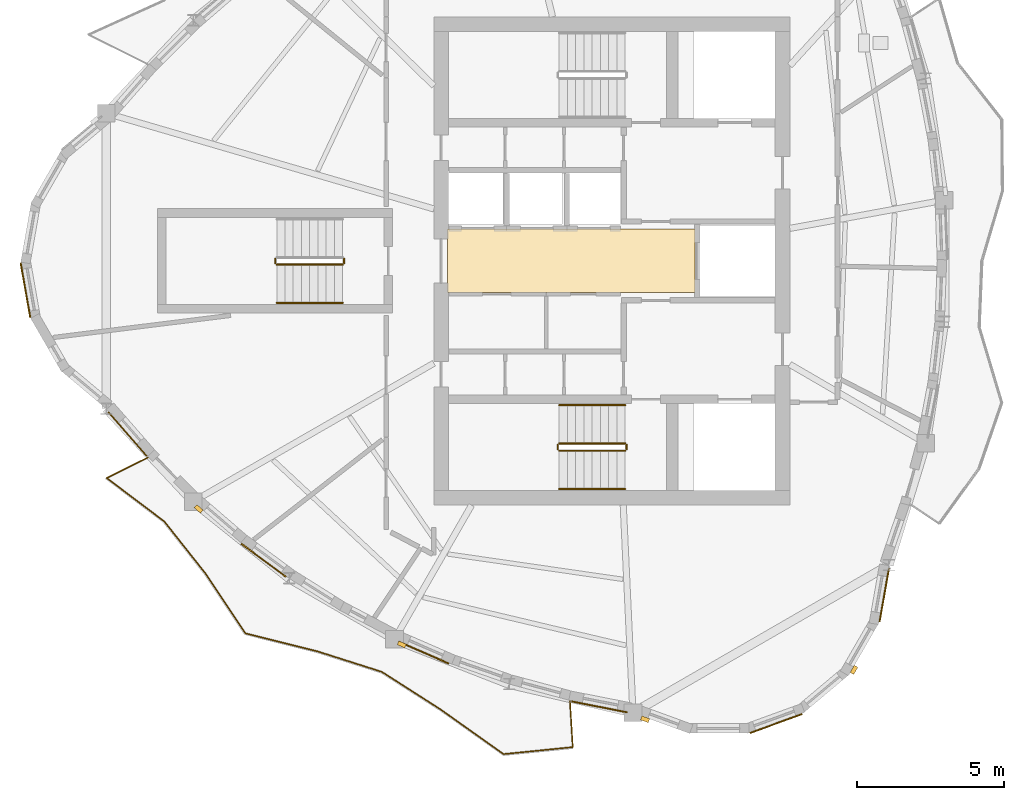
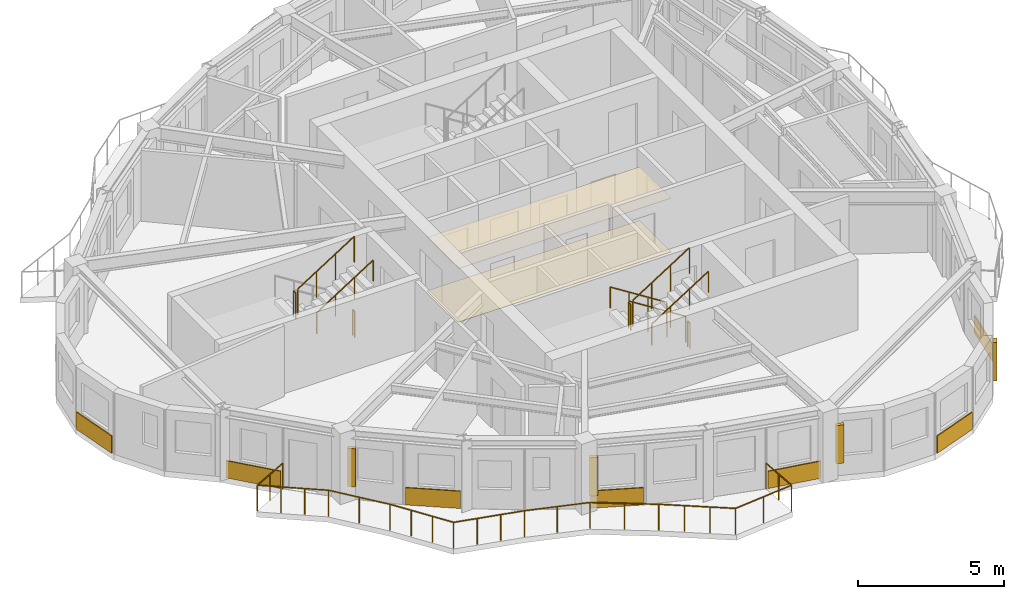
# One storey, part 8 of 11: 11 railings, 9 coverings, 4 shading devices.
"""IFC4 building model written with IfcOpenShell, lengths in metres."""

from ifc_helpers import new_model, si_unit, direction, frame, origin, origin_2d, place, context, subcontext, project, spatial, polyline, rectangle, circle, outline, extrude, source, transform, mapped, material, layer, layer_set, type_object, element, save


model = new_model("IFC4")

# Units and contexts
model_context = context("Model", 3, precision=1e-05, world=origin(), true_north=direction((0.0, 1.0)))
body_context = subcontext(model_context, "Body", "Model", "MODEL_VIEW")
ifc_project = project(units=[si_unit("LENGTHUNIT", "METRE"), si_unit("AREAUNIT", "SQUARE_METRE"), si_unit("VOLUMEUNIT", "CUBIC_METRE"), si_unit("PLANEANGLEUNIT", "RADIAN"), si_unit("MASSUNIT", "GRAM", prefix="KILO")], contexts=[model_context])

# Site, building, storey
site_placement = place(None, origin())
site = spatial("IfcSite", under=ifc_project, at=site_placement, CompositionType="ELEMENT")
building_placement = place(site_placement, origin())
building = spatial("IfcBuilding", under=site, at=building_placement, Name="Qafzar Sky-Pleat Residences", CompositionType="ELEMENT")
storey_placement = place(building_placement, frame((0.0, 0.0, 243.60009765625)))
storey = spatial("IfcBuildingStorey", under=building, at=storey_placement, Name="L73", CompositionType="ELEMENT", Elevation=243.60009765625)

# Coverings
ifc_material_1 = material(Name="Perforated acoustic gypsum board ceiling")
ifc_layer_1 = layer(ifc_material_1, 0.02001953125)
ifc_layer_set_1 = layer_set([ifc_layer_1], Name="Perforated acoustic gypsum board ceiling")
covering_type_1 = type_object("IfcCoveringType", Name="COV-CEIL-ACOUSTIC", PredefinedType="CEILING", material=ifc_layer_set_1)
covering_1_placement = place(storey_placement, frame((0.0, 0.0, 2.239990234375)))
element("IfcCovering", 1, at=covering_1_placement, inside=storey, type_object=covering_type_1, Name="L73 Passenger Lift Lobby Acoustic Ceiling", PredefinedType="CEILING", context=body_context, shape_type="SweptSolid", body=[
    extrude(outline(polyline([(33.179931640625, 24.919921875), (24.77001953125, 24.919921875), (24.77001953125, 27.080078125), (33.179931640625, 27.080078125), (33.179931640625, 24.919921875)])), origin(), (0.0, 0.0, 1.0), 0.02001953125),
])
ifc_material_2 = material(Name="Honed porcelain and Riyadh stone tile flooring", Category="masonry")
ifc_layer_2 = layer(ifc_material_2, 0.02001953125)
ifc_layer_set_2 = layer_set([ifc_layer_2], Name="Honed porcelain and Riyadh stone tile flooring")
covering_type_2 = type_object("IfcCoveringType", Name="COV-FLR-PORCELAIN", PredefinedType="FLOORING", material=ifc_layer_set_2)
covering_2_placement = place(storey_placement, origin())
element("IfcCovering", 2, at=covering_2_placement, inside=storey, type_object=covering_type_2, Name="L73 Passenger Lift Lobby Honed Stone Flooring", PredefinedType="FLOORING", context=body_context, shape_type="SweptSolid", body=[
    extrude(outline(polyline([(33.179931640625, 24.919921875), (24.77001953125, 24.919921875), (24.77001953125, 27.080078125), (33.179931640625, 27.080078125), (33.179931640625, 24.919921875)])), origin(), (0.0, 0.0, 1.0), 0.02001953125),
])

# Shading devices
ifc_material_3 = material(Name="Honed Riyadh limestone solar fin", Category="masonry")
ifc_layer_3 = layer(ifc_material_3, 0.139892578125)
ifc_layer_set_3 = layer_set([ifc_layer_3], Name="Honed Riyadh limestone solar fin")
shading_device_type = type_object("IfcShadingDeviceType", Name="SHD-FIN-STONE", PredefinedType="SHUTTER", material=ifc_layer_set_3)
shared_shape_1 = source(origin(), body_context, "Body", "SweptSolid", [
    extrude(rectangle(XDim=0.139892578125, YDim=0.280029296875, at=origin_2d()), origin(), (0.0, 0.0, 1.0), 1.60009765625),
])
for number, where, z_axis, x_axis, name in (
    (3, (16.306396484375, 17.572265625, 0.599853515625), (0.0, 0.0, 1.0), (-0.65289449512, -0.7574488618, 0.0), "L73 Limestone Solar Fin 9"),
    (4, (23.2080078125, 12.9658203125, 0.599853515625), (0.0, 0.0, 1.0), (-0.398699748058, -0.917081518132, 0.0), "L73 Limestone Solar Fin 13"),
    (5, (31.478515625, 10.422119140625, 0.599853515625), (0.0, 0.0, 1.0), (-0.342010122116, -0.939696268148, 0.0), "L73 Limestone Solar Fin 17"),
    (6, (38.58056640625, 12.10009765625, 0.599853515625), (0.0, 0.0, 1.0), (0.86604422228, -0.499967403994, 0.0), "L73 Limestone Solar Fin 21"),
):
    element("IfcShadingDevice", number, at=place(storey_placement, frame(where, z_axis=z_axis, x_axis=x_axis)), inside=storey, type_object=shading_device_type, Name=name, PredefinedType="SHUTTER", context=body_context, shape_type="MappedRepresentation", body=[
        mapped(shared_shape_1, transform((0.0, 0.0, 0.0), x_axis=(1.0, 0.0, 0.0), y_axis=(0.0, 1.0, 0.0), z_axis=(0.0, 0.0, 1.0), scale=1.0)),
    ])

# Coverings
ifc_material_4 = material(Name="Honed Riyadh Tuwaiq limestone cladding", Category="masonry")
ifc_layer_4 = layer(ifc_material_4, 0.044921875)
ifc_layer_set_4 = layer_set([ifc_layer_4], Name="Honed Riyadh Tuwaiq limestone cladding")
covering_type_3 = type_object("IfcCoveringType", Name="COV-CLAD-STONE", PredefinedType="CLADDING", material=ifc_layer_set_4)
shared_shape_2 = source(origin(), body_context, "Body", "SweptSolid", [
    extrude(rectangle(XDim=1.88134765625, YDim=0.044921875, at=origin_2d()), origin(), (0.0, 0.0, 1.0), 0.719970703125),
])
covering_3_placement = place(storey_placement, frame((10.418212890625, 25.00439453125, 0.02001953125), z_axis=(0.0, 0.0, 1.0), x_axis=(0.173662519465, -0.984805224059, 0.0)))
element("IfcCovering", 7, at=covering_3_placement, inside=storey, type_object=covering_type_3, Name="L73 Riyadh Limestone Spandrel Cladding 4", PredefinedType="CLADDING", context=body_context, shape_type="MappedRepresentation", body=[
    mapped(shared_shape_2, transform((0.0, 0.0, 0.0), x_axis=(1.0, 0.0, 0.0), y_axis=(0.0, 1.0, 0.0), z_axis=(0.0, 0.0, 1.0), scale=1.0)),
])
shared_shape_3 = source(origin(), body_context, "Body", "SweptSolid", [
    extrude(rectangle(XDim=1.8291015625, YDim=0.044921875, at=origin_2d()), origin(), (0.0, 0.0, 1.0), 0.719970703125),
])
covering_4_placement = place(storey_placement, frame((39.609130859375, 14.639892578125, 0.02001953125), z_axis=(0.0, 0.0, 1.0), x_axis=(0.173695508338, 0.984799406165, 0.0)))
element("IfcCovering", 8, at=covering_4_placement, inside=storey, type_object=covering_type_3, Name="L73 Riyadh Limestone Spandrel Cladding 22", PredefinedType="CLADDING", context=body_context, shape_type="MappedRepresentation", body=[
    mapped(shared_shape_3, transform((0.0, 0.0, 0.0), x_axis=(1.0, 0.0, 0.0), y_axis=(0.0, 1.0, 0.0), z_axis=(0.0, 0.0, 1.0), scale=1.0)),
])
shared_shape_4 = source(origin(), body_context, "Body", "SweptSolid", [
    extrude(rectangle(XDim=1.881103515625, YDim=0.044921875, at=origin_2d()), origin(), (0.0, 0.0, 1.0), 0.719970703125),
])
covering_5_placement = place(storey_placement, frame((35.9287109375, 10.27587890625, 0.02001953125), z_axis=(0.0, 0.0, 1.0), x_axis=(0.939709584691, 0.341973531784, 0.0)))
element("IfcCovering", 9, at=covering_5_placement, inside=storey, type_object=covering_type_3, Name="L73 Riyadh Limestone Spandrel Cladding 19", PredefinedType="CLADDING", context=body_context, shape_type="MappedRepresentation", body=[
    mapped(shared_shape_4, transform((0.0, 0.0, 0.0), x_axis=(1.0, 0.0, 0.0), y_axis=(0.0, 1.0, 0.0), z_axis=(0.0, 0.0, 1.0), scale=1.0)),
])
shared_shape_5 = source(origin(), body_context, "Body", "SweptSolid", [
    extrude(rectangle(XDim=1.888916015625, YDim=0.044921875, at=origin_2d()), origin(), (0.0, 0.0, 1.0), 0.719970703125),
])
covering_6_placement = place(storey_placement, frame((18.5107421875, 15.828369140625, 0.02001953125), z_axis=(0.0, 0.0, 1.0), x_axis=(0.803837342424, -0.59484916317, 0.0)))
element("IfcCovering", 10, at=covering_6_placement, inside=storey, type_object=covering_type_3, Name="L73 Riyadh Limestone Spandrel Cladding 10", PredefinedType="CLADDING", context=body_context, shape_type="MappedRepresentation", body=[
    mapped(shared_shape_5, transform((0.0, 0.0, 0.0), x_axis=(1.0, 0.0, 0.0), y_axis=(0.0, 1.0, 0.0), z_axis=(0.0, 0.0, 1.0), scale=1.0)),
])

# Railing
ifc_material_5 = material(Name="Laminated glass and bronze steel balustrade", Category="steel")
railing_type_1 = type_object("IfcRailingType", Name="RAIL-BAL-1100", PredefinedType="BALUSTRADE", material=ifc_material_5)
shared_shape_6 = source(origin(), body_context, "Body", "SweptSolid", [
    extrude(circle(Radius=0.02392578125, at=origin_2d()), frame((0.0, 0.0, 1.076171875), z_axis=(-0.895230305867, -0.445603747131, 0.0), x_axis=(0.445603747131, -0.895230305867, 0.0)), (0.0, 0.0, 1.0), 1.577880859375),
    extrude(circle(Radius=0.02392578125, at=origin_2d()), frame((-1.41259765625, -0.703125, 1.076171875), z_axis=(0.798552100692, -0.601925695148, 0.0), x_axis=(0.601925695148, 0.798552100692, 0.0)), (0.0, 0.0, 1.0), 2.4521484375),
    extrude(circle(Radius=0.02392578125, at=origin_2d()), frame((0.545654296875, -2.17919921875, 1.076171875), z_axis=(0.620424786039, -0.784265952894, 0.0), x_axis=(0.784265952894, 0.620424786039, 0.0)), (0.0, 0.0, 1.0), 2.27099609375),
    extrude(circle(Radius=0.02392578125, at=origin_2d()), frame((1.95458984375, -3.960205078125, 1.076171875), z_axis=(0.553981385976, -0.832529052942, 0.0), x_axis=(0.832529052942, 0.553981385976, 0.0)), (0.0, 0.0, 1.0), 2.430419921875),
    extrude(circle(Radius=0.02392578125, at=origin_2d()), frame((3.301025390625, -5.983642578125, 1.076171875), z_axis=(0.970233529175, -0.242171218076, 0.0), x_axis=(0.242171218076, 0.970233529175, 0.0)), (0.0, 0.0, 1.0), 2.5224609375),
    extrude(circle(Radius=0.02392578125, at=origin_2d()), frame((5.748291015625, -6.594482421875, 1.076171875), z_axis=(0.952948096229, -0.303133511663, 0.0), x_axis=(0.303133511663, 0.952948096229, 0.0)), (0.0, 0.0, 1.0), 2.298583984375),
    extrude(circle(Radius=0.02392578125, at=origin_2d()), frame((7.938720703125, -7.291259765625, 1.076171875), z_axis=(0.842406664623, -0.538842288057, 0.0), x_axis=(0.538842288057, 0.842406664623, 0.0)), (0.0, 0.0, 1.0), 2.359619140625),
    extrude(circle(Radius=0.02392578125, at=origin_2d()), frame((9.926513671875, -8.562744140625, 1.076171875), z_axis=(0.815729715151, -0.578433256149, 0.0), x_axis=(0.578433256149, 0.815729715151, 0.0)), (0.0, 0.0, 1.0), 2.637939453125),
    extrude(circle(Radius=0.02392578125, at=origin_2d()), frame((12.078369140625, -10.088623046875, 1.076171875), z_axis=(0.994919967793, 0.10066905029, 0.0), x_axis=(-0.10066905029, 0.994919967793, 0.0)), (0.0, 0.0, 1.0), 2.364501953125),
    extrude(circle(Radius=0.02392578125, at=origin_2d()), frame((14.430908203125, -9.8505859375, 1.076171875), z_axis=(-0.061732907976, 0.99809270515, 0.0), x_axis=(-0.99809270515, -0.061732907976, 0.0)), (0.0, 0.0, 1.0), 1.577880859375),
    extrude(circle(Radius=0.02099609375, at=origin_2d()), origin(), (0.0, 0.0, 1.0), 1.052001953125),
    extrude(circle(Radius=0.02099609375, at=origin_2d()), frame((-0.706298828125, -0.3515625, 0.0)), (0.0, 0.0, 1.0), 1.052001953125),
    extrude(circle(Radius=0.02099609375, at=origin_2d()), frame((-1.41259765625, -0.703125, 0.0)), (0.0, 0.0, 1.0), 1.052001953125),
    extrude(circle(Radius=0.02099609375, at=origin_2d()), frame((-0.759765625, -1.195068359375, 0.0)), (0.0, 0.0, 1.0), 1.052001953125),
    extrude(circle(Radius=0.02099609375, at=origin_2d()), frame((-0.107177734375, -1.687255859375, 0.0)), (0.0, 0.0, 1.0), 1.052001953125),
    extrude(circle(Radius=0.02099609375, at=origin_2d()), frame((0.545654296875, -2.17919921875, 0.0)), (0.0, 0.0, 1.0), 1.052001953125),
    extrude(circle(Radius=0.02099609375, at=origin_2d()), frame((1.25, -3.06982421875, 0.0)), (0.0, 0.0, 1.0), 1.052001953125),
    extrude(circle(Radius=0.02099609375, at=origin_2d()), frame((1.95458984375, -3.960205078125, 0.0)), (0.0, 0.0, 1.0), 1.052001953125),
    extrude(circle(Radius=0.02099609375, at=origin_2d()), frame((2.4033203125, -4.634765625, 0.0)), (0.0, 0.0, 1.0), 1.052001953125),
    extrude(circle(Radius=0.02099609375, at=origin_2d()), frame((2.852294921875, -5.30908203125, 0.0)), (0.0, 0.0, 1.0), 1.052001953125),
    extrude(circle(Radius=0.02099609375, at=origin_2d()), frame((3.301025390625, -5.983642578125, 0.0)), (0.0, 0.0, 1.0), 1.052001953125),
    extrude(circle(Radius=0.02099609375, at=origin_2d()), frame((4.11669921875, -6.187255859375, 0.0)), (0.0, 0.0, 1.0), 1.052001953125),
    extrude(circle(Radius=0.02099609375, at=origin_2d()), frame((4.9326171875, -6.390869140625, 0.0)), (0.0, 0.0, 1.0), 1.052001953125),
    extrude(circle(Radius=0.02099609375, at=origin_2d()), frame((5.748291015625, -6.594482421875, 0.0)), (0.0, 0.0, 1.0), 1.052001953125),
    extrude(circle(Radius=0.02099609375, at=origin_2d()), frame((6.843505859375, -6.94287109375, 0.0)), (0.0, 0.0, 1.0), 1.052001953125),
    extrude(circle(Radius=0.02099609375, at=origin_2d()), frame((7.938720703125, -7.291259765625, 0.0)), (0.0, 0.0, 1.0), 1.052001953125),
    extrude(circle(Radius=0.02099609375, at=origin_2d()), frame((8.9326171875, -7.927001953125, 0.0)), (0.0, 0.0, 1.0), 1.052001953125),
    extrude(circle(Radius=0.02099609375, at=origin_2d()), frame((9.926513671875, -8.562744140625, 0.0)), (0.0, 0.0, 1.0), 1.052001953125),
    extrude(circle(Radius=0.02099609375, at=origin_2d()), frame((10.643798828125, -9.0712890625, 0.0)), (0.0, 0.0, 1.0), 1.052001953125),
    extrude(circle(Radius=0.02099609375, at=origin_2d()), frame((11.361083984375, -9.580078125, 0.0)), (0.0, 0.0, 1.0), 1.052001953125),
    extrude(circle(Radius=0.02099609375, at=origin_2d()), frame((12.078369140625, -10.088623046875, 0.0)), (0.0, 0.0, 1.0), 1.052001953125),
    extrude(circle(Radius=0.02099609375, at=origin_2d()), frame((13.254638671875, -9.9697265625, 0.0)), (0.0, 0.0, 1.0), 1.052001953125),
    extrude(circle(Radius=0.02099609375, at=origin_2d()), frame((14.430908203125, -9.8505859375, 0.0)), (0.0, 0.0, 1.0), 1.052001953125),
    extrude(circle(Radius=0.02099609375, at=origin_2d()), frame((14.38232421875, -9.06298828125, 0.0)), (0.0, 0.0, 1.0), 1.052001953125),
    extrude(circle(Radius=0.02099609375, at=origin_2d()), frame((14.33349609375, -8.275634765625, 0.0)), (0.0, 0.0, 1.0), 1.052001953125),
])
railing_1_placement = place(storey_placement, frame((14.591064453125, 19.325927734375, 0.0)))
element("IfcRailing", 11, at=railing_1_placement, inside=storey, type_object=railing_type_1, Name="L73 Pleated Balcony 3 Balustrade", PredefinedType="BALUSTRADE", context=body_context, shape_type="MappedRepresentation", body=[
    mapped(shared_shape_6, transform((0.0, 0.0, 0.0), x_axis=(1.0, 0.0, 0.0), y_axis=(0.0, 1.0, 0.0), z_axis=(0.0, 0.0, 1.0), scale=1.0)),
])

# Coverings
shared_shape_7 = source(origin(), body_context, "Body", "SweptSolid", [
    extrude(rectangle(XDim=1.982421875, YDim=0.044921875, at=origin_2d()), origin(), (0.0, 0.0, 1.0), 0.719970703125),
])
covering_7_placement = place(storey_placement, frame((13.885986328125, 20.117919921875, 0.02001953125), z_axis=(0.0, 0.0, 1.0), x_axis=(0.657613893378, -0.75335514018, 0.0)))
element("IfcCovering", 12, at=covering_7_placement, inside=storey, type_object=covering_type_3, Name="L73 Riyadh Limestone Spandrel Cladding 7", PredefinedType="CLADDING", context=body_context, shape_type="MappedRepresentation", body=[
    mapped(shared_shape_7, transform((0.0, 0.0, 0.0), x_axis=(1.0, 0.0, 0.0), y_axis=(0.0, 1.0, 0.0), z_axis=(0.0, 0.0, 1.0), scale=1.0)),
])
shared_shape_8 = source(origin(), body_context, "Body", "SweptSolid", [
    extrude(rectangle(XDim=1.82568359375, YDim=0.044921875, at=origin_2d()), origin(), (0.0, 0.0, 1.0), 0.719970703125),
])
covering_8_placement = place(storey_placement, frame((23.9677734375, 12.682373046875, 0.02001953125), z_axis=(0.0, 0.0, 1.0), x_axis=(0.917074758623, -0.39871529579, 0.0)))
element("IfcCovering", 13, at=covering_8_placement, inside=storey, type_object=covering_type_3, Name="L73 Riyadh Limestone Spandrel Cladding 13", PredefinedType="CLADDING", context=body_context, shape_type="MappedRepresentation", body=[
    mapped(shared_shape_8, transform((0.0, 0.0, 0.0), x_axis=(1.0, 0.0, 0.0), y_axis=(0.0, 1.0, 0.0), z_axis=(0.0, 0.0, 1.0), scale=1.0)),
])
shared_shape_9 = source(origin(), body_context, "Body", "SweptSolid", [
    extrude(rectangle(XDim=1.91943359375, YDim=0.044921875, at=origin_2d()), origin(), (0.0, 0.0, 1.0), 0.719970703125),
])
covering_9_placement = place(storey_placement, frame((29.9287109375, 10.842529296875, 0.02001953125), z_axis=(0.0, 0.0, 1.0), x_axis=(0.98122807004, -0.192850912795, 0.0)))
element("IfcCovering", 14, at=covering_9_placement, inside=storey, type_object=covering_type_3, Name="L73 Riyadh Limestone Spandrel Cladding 16", PredefinedType="CLADDING", context=body_context, shape_type="MappedRepresentation", body=[
    mapped(shared_shape_9, transform((0.0, 0.0, 0.0), x_axis=(1.0, 0.0, 0.0), y_axis=(0.0, 1.0, 0.0), z_axis=(0.0, 0.0, 1.0), scale=1.0)),
])

# Railings
ifc_material_6 = material(Name="Painted Steel S355 stair guardrail", Category="steel")
railing_type_2 = type_object("IfcRailingType", Name="RAIL-STAIR-GUARD", PredefinedType="GUARDRAIL", material=ifc_material_6)
shared_shape_10 = source(origin(), body_context, "Body", "SweptSolid", [
    extrude(circle(Radius=0.02392578125, at=origin_2d()), frame((0.0, 0.0, 1.076171875), z_axis=(0.0, -1.0, 0.0), x_axis=(1.0, 0.0, 0.0)), (0.0, 0.0, 1.0), 0.14990234375),
    extrude(circle(Radius=0.02099609375, at=origin_2d()), origin(), (0.0, 0.0, 1.0), 1.052001953125),
    extrude(circle(Radius=0.02099609375, at=origin_2d()), frame((0.0, -0.14990234375, 0.0)), (0.0, 0.0, 1.0), 1.052001953125),
])
for number, where, name in (
    (15, (28.510009765625, 19.75, 1.599853515625), "L73 ST1 stair guard 2"),
    (16, (30.85009765625, 19.75, 0.0), "L73 ST1 stair guard 4"),
    (17, (18.909912109375, 26.074951171875, 1.599853515625), "L73 ST3 stair guard 2"),
    (18, (21.25, 26.074951171875, 0.0), "L73 ST3 stair guard 4"),
):
    element("IfcRailing", number, at=place(storey_placement, frame(where)), inside=storey, type_object=railing_type_2, Name=name, PredefinedType="GUARDRAIL", context=body_context, shape_type="MappedRepresentation", body=[
        mapped(shared_shape_10, transform((0.0, 0.0, 0.0), x_axis=(1.0, 0.0, 0.0), y_axis=(0.0, 1.0, 0.0), z_axis=(0.0, 0.0, 1.0), scale=1.0)),
    ])
shared_shape_11 = source(origin(), body_context, "Body", "SweptSolid", [
    extrude(circle(Radius=0.02392578125, at=origin_2d()), frame((0.0, 0.0, 1.076171875), z_axis=(-0.8442293374, 0.0, 0.53598211339), x_axis=(0.0, -1.0, 0.0)), (0.0, 0.0, 1.0), 2.6533203125),
    extrude(circle(Radius=0.02099609375, at=origin_2d()), origin(), (0.0, 0.0, 1.0), 1.052001953125),
    extrude(circle(Radius=0.02099609375, at=origin_2d()), frame((-0.74658203125, 0.0, 0.47412109375)), (0.0, 0.0, 1.0), 1.052001953125),
    extrude(circle(Radius=0.02099609375, at=origin_2d()), frame((-1.493408203125, 0.0, 0.947998046875)), (0.0, 0.0, 1.0), 1.052001953125),
    extrude(circle(Radius=0.02099609375, at=origin_2d()), frame((-2.239990234375, 0.0, 1.422119140625)), (0.0, 0.0, 1.0), 1.052001953125),
])
railing_2_placement = place(storey_placement, frame((30.800048828125, 19.800048828125, 0.177734375)))
element("IfcRailing", 19, at=railing_2_placement, inside=storey, type_object=railing_type_2, Name="L73 ST1 stair guard 1", PredefinedType="GUARDRAIL", context=body_context, shape_type="MappedRepresentation", body=[
    mapped(shared_shape_11, transform((0.0, 0.0, 0.0), x_axis=(1.0, 0.0, 0.0), y_axis=(0.0, 1.0, 0.0), z_axis=(0.0, 0.0, 1.0), scale=1.0)),
])
ifc_material_7 = material(Name="Brushed stainless steel handrail", Category="steel")
railing_type_3 = type_object("IfcRailingType", Name="RAIL-STAIR-HAND", PredefinedType="HANDRAIL", material=ifc_material_7)
shared_shape_12 = source(origin(), body_context, "Body", "SweptSolid", [
    extrude(circle(Radius=0.02392578125, at=origin_2d()), frame((0.0, 0.0, 0.8759765625), z_axis=(-0.8442293374, 0.0, 0.53598211339), x_axis=(0.0, -1.0, 0.0)), (0.0, 0.0, 1.0), 2.6533203125),
    extrude(circle(Radius=0.02099609375, at=origin_2d()), origin(), (0.0, 0.0, 1.0), 0.851806640625),
    extrude(circle(Radius=0.02099609375, at=origin_2d()), frame((-0.74658203125, 0.0, 0.47412109375)), (0.0, 0.0, 1.0), 0.851806640625),
    extrude(circle(Radius=0.02099609375, at=origin_2d()), frame((-1.493408203125, 0.0, 0.947998046875)), (0.0, 0.0, 1.0), 0.851806640625),
    extrude(circle(Radius=0.02099609375, at=origin_2d()), frame((-2.239990234375, 0.0, 1.422119140625)), (0.0, 0.0, 1.0), 0.851806640625),
])
railing_3_placement = place(storey_placement, frame((30.800048828125, 21.10009765625, 0.177734375)))
element("IfcRailing", 20, at=railing_3_placement, inside=storey, type_object=railing_type_3, Name="L73 ST1 stair handrail 1", PredefinedType="HANDRAIL", context=body_context, shape_type="MappedRepresentation", body=[
    mapped(shared_shape_12, transform((0.0, 0.0, 0.0), x_axis=(1.0, 0.0, 0.0), y_axis=(0.0, 1.0, 0.0), z_axis=(0.0, 0.0, 1.0), scale=1.0)),
])
shared_shape_13 = source(origin(), body_context, "Body", "SweptSolid", [
    extrude(circle(Radius=0.02392578125, at=origin_2d()), frame((0.0, 0.0, 1.076171875), z_axis=(0.84418770128, 0.0, 0.536047689118), x_axis=(0.0, 1.0, 0.0)), (0.0, 0.0, 1.0), 2.6533203125),
    extrude(circle(Radius=0.02099609375, at=origin_2d()), origin(), (0.0, 0.0, 1.0), 1.052001953125),
    extrude(circle(Radius=0.02099609375, at=origin_2d()), frame((0.74658203125, 0.0, 0.47412109375)), (0.0, 0.0, 1.0), 1.052001953125),
    extrude(circle(Radius=0.02099609375, at=origin_2d()), frame((1.493408203125, 0.0, 0.9482421875)), (0.0, 0.0, 1.0), 1.052001953125),
    extrude(circle(Radius=0.02099609375, at=origin_2d()), frame((2.239990234375, 0.0, 1.42236328125)), (0.0, 0.0, 1.0), 1.052001953125),
])
for number, where, name in (
    (21, (28.56005859375, 19.550048828125, 1.777587890625), "L73 ST1 stair guard 3"),
    (22, (18.9599609375, 25.875, 1.777587890625), "L73 ST3 stair guard 3"),
):
    element("IfcRailing", number, at=place(storey_placement, frame(where)), inside=storey, type_object=railing_type_2, Name=name, PredefinedType="GUARDRAIL", context=body_context, shape_type="MappedRepresentation", body=[
        mapped(shared_shape_13, transform((0.0, 0.0, 0.0), x_axis=(1.0, 0.0, 0.0), y_axis=(0.0, 1.0, 0.0), z_axis=(0.0, 0.0, 1.0), scale=1.0)),
    ])
shared_shape_14 = source(origin(), body_context, "Body", "SweptSolid", [
    extrude(circle(Radius=0.02392578125, at=origin_2d()), frame((0.0, 0.0, 0.8759765625), z_axis=(0.84418770128, 0.0, 0.536047689118), x_axis=(0.0, 1.0, 0.0)), (0.0, 0.0, 1.0), 2.6533203125),
    extrude(circle(Radius=0.02099609375, at=origin_2d()), origin(), (0.0, 0.0, 1.0), 0.851806640625),
    extrude(circle(Radius=0.02099609375, at=origin_2d()), frame((0.74658203125, 0.0, 0.47412109375)), (0.0, 0.0, 1.0), 0.851806640625),
    extrude(circle(Radius=0.02099609375, at=origin_2d()), frame((1.493408203125, 0.0, 0.9482421875)), (0.0, 0.0, 1.0), 0.851806640625),
    extrude(circle(Radius=0.02099609375, at=origin_2d()), frame((2.239990234375, 0.0, 1.42236328125)), (0.0, 0.0, 1.0), 0.851806640625),
])
for number, where, name in (
    (23, (28.56005859375, 18.25, 1.777587890625), "L73 ST1 stair handrail 2"),
    (24, (18.9599609375, 24.574951171875, 1.777587890625), "L73 ST3 stair handrail 2"),
):
    element("IfcRailing", number, at=place(storey_placement, frame(where)), inside=storey, type_object=railing_type_3, Name=name, PredefinedType="HANDRAIL", context=body_context, shape_type="MappedRepresentation", body=[
        mapped(shared_shape_14, transform((0.0, 0.0, 0.0), x_axis=(1.0, 0.0, 0.0), y_axis=(0.0, 1.0, 0.0), z_axis=(0.0, 0.0, 1.0), scale=1.0)),
    ])

save(model, "model.ifc")
